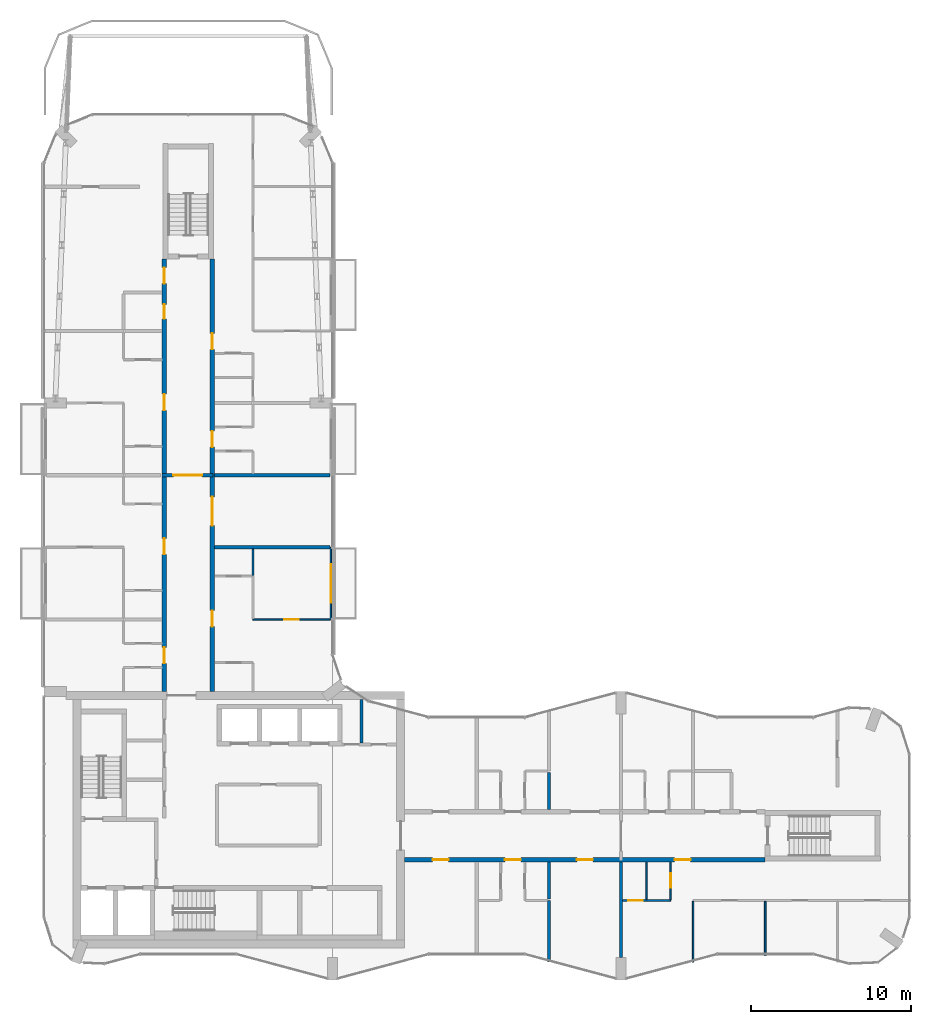
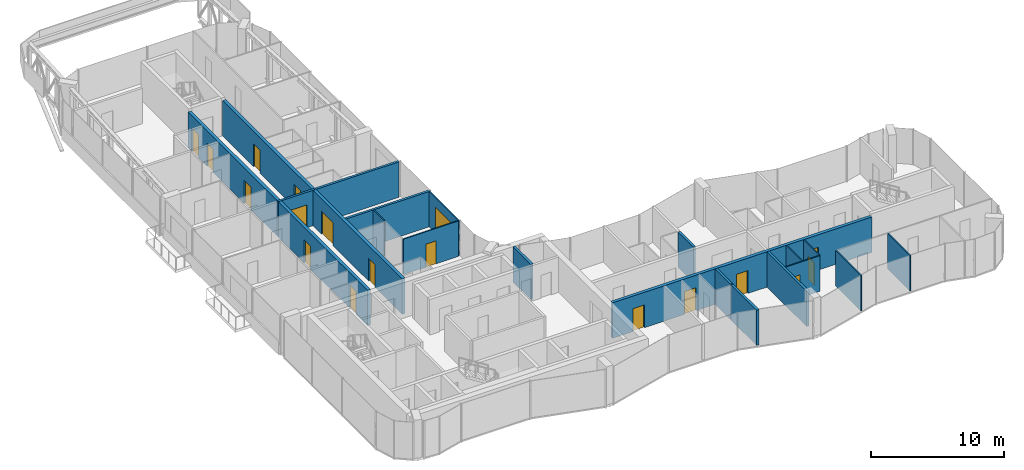
# One storey, part 11 of 17: 19 walls, 18 doors, 18 openings.
"""IFC4 building model written with IfcOpenShell, lengths in metres."""

from ifc_helpers import new_model, si_unit, direction, frame, frame_2d, origin, place, context, subcontext, project, spatial, rectangle, extrude, material, layer, layer_set, type_object, element, fill, save


model = new_model("IFC4")

# Units and contexts
model_context = context("Model", 3, precision=1e-05, world=origin(), true_north=direction((0.0, 1.0)))
body_context = subcontext(model_context, "Body", "Model", "MODEL_VIEW")
ifc_project = project(units=[si_unit("LENGTHUNIT", "METRE"), si_unit("AREAUNIT", "SQUARE_METRE"), si_unit("VOLUMEUNIT", "CUBIC_METRE"), si_unit("PLANEANGLEUNIT", "RADIAN"), si_unit("MASSUNIT", "GRAM", prefix="KILO")], contexts=[model_context])

# Site, building, storey
site_placement = place(None, origin())
site = spatial("IfcSite", under=ifc_project, at=site_placement, CompositionType="ELEMENT")
building_placement = place(site_placement, origin())
building = spatial("IfcBuilding", under=site, at=building_placement, Name="Plateau Cross Towers", CompositionType="ELEMENT")
storey_placement = place(building_placement, frame((0.0, 0.0, 222.39990234375)))
storey = spatial("IfcBuildingStorey", under=building, at=storey_placement, Name="L58", CompositionType="ELEMENT", Elevation=222.39990234375)

# Wall, opening, door
ifc_material_1 = material(Name="Aluminium framed glazing", Category="aluminium")
ifc_layer_1 = layer(ifc_material_1, 0.10009765625)
ifc_layer_set_1 = layer_set([ifc_layer_1], Name="Aluminium framed glazing")
wall_type_1 = type_object("IfcWallType", Name="Balcony screen wall 100", PredefinedType="STANDARD", material=ifc_layer_set_1)
wall_1_placement = place(storey_placement, frame((17.89990234375, 27.0, 0.0), z_axis=(0.0, 0.0, 1.0), x_axis=(0.0, -1.0, 0.0)))
wall_1 = element("IfcWall", 1, at=wall_1_placement, inside=storey, type_object=wall_type_1, Name="Balcony screen wall A-BAL-L58-03", PredefinedType="STANDARD", context=body_context, shape_type="SweptSolid", body=[
    extrude(rectangle(XDim=4.5, YDim=0.10009765625, at=frame_2d((2.25, 0.0))), origin(), (0.0, 0.0, 1.0), 3.25),
])
opening_1_placement = place(wall_1_placement, frame((1.050048828125, 0.0, 0.0)))
opening_1 = element("IfcOpeningElement", 2, at=opening_1_placement, cuts=wall_1, Name="Opening D-B24", PredefinedType="OPENING", context=body_context, shape_type="SweptSolid", body=[
    extrude(rectangle(XDim=2.39990234375, YDim=2.39990234375, at=frame_2d((1.199951171875, 1.199951171875))), frame((0.0, 0.06005859375, 0.0), z_axis=(0.0, -1.0, 0.0), x_axis=(1.0, 0.0, 0.0)), (0.0, 0.0, 1.0), 0.1201171875),
])
ifc_material_2 = material(Name="Aluminium frame, double glazing", Category="aluminium")
door_type_1 = type_object("IfcDoorType", Name="Balcony sliding door 2400", OperationType="NOTDEFINED", PredefinedType="DOOR", material=ifc_material_2)
door_1_placement = place(opening_1_placement, origin())
door_1 = element("IfcDoor", 3, at=door_1_placement, inside=storey, type_object=door_type_1, Name="Balcony door A-BAL-L58-03", OperationType="SINGLE_SWING_LEFT", OverallHeight=2.39990234375, OverallWidth=2.39990234375, PredefinedType="DOOR", context=body_context, shape_type="SweptSolid", body=[
    extrude(rectangle(XDim=2.39990234375, YDim=2.39990234375, at=frame_2d((1.199951171875, 1.199951171875))), frame((0.0, 0.02490234375, 0.0), z_axis=(0.0, -1.0, 0.0), x_axis=(1.0, 0.0, 0.0)), (0.0, 0.0, 1.0), 0.050048828125),
])
fill(opening_1, door_1)

# Wall
ifc_material_3 = material(Name="Concrete block, plastered both sides", Category="concrete")
ifc_layer_2 = layer(ifc_material_3, 0.199951171875)
ifc_layer_set_2 = layer_set([ifc_layer_2], Name="Concrete block, plastered both sides")
wall_type_2 = type_object("IfcWallType", Name="Core partition 200", PredefinedType="PARTITIONING", material=ifc_layer_set_2)
wall_2_placement = place(storey_placement, frame((19.800048828125, 14.800048828125, 0.0), z_axis=(0.0, 0.0, 1.0), x_axis=(0.0, 1.0, 0.0)))
element("IfcWall", 4, at=wall_2_placement, inside=storey, type_object=wall_type_2, Name="Core partition", PredefinedType="PARTITIONING", context=body_context, shape_type="SweptSolid", body=[
    extrude(rectangle(XDim=2.699951171875, YDim=0.199951171875, at=frame_2d((1.35009765625, 0.0))), origin(), (0.0, 0.0, 1.0), 3.25),
])

# Wall, openings, doors
ifc_material_4 = material(Name="Concrete C60/75", Category="concrete")
ifc_layer_3 = layer(ifc_material_4, 0.27490234375)
ifc_layer_set_3 = layer_set([ifc_layer_3], Name="Concrete C60/75")
wall_type_3 = type_object("IfcWallType", Name="Corridor wall 275", PredefinedType="SHEAR", material=ifc_layer_set_3)
wall_3_placement = place(storey_placement, frame((22.5, 7.5, 0.0), z_axis=(0.0, 0.0, 1.0), x_axis=(1.0, 0.0, 0.0)))
wall_3 = element("IfcWall", 5, at=wall_3_placement, inside=storey, type_object=wall_type_3, Name="A-cw-S1@L58", PredefinedType="SHEAR", context=body_context, shape_type="SweptSolid", body=[
    extrude(rectangle(XDim=22.5, YDim=0.27490234375, at=frame_2d((11.25, 0.0))), origin(), (0.0, 0.0, 1.0), 3.25),
])
opening_2_placement = place(wall_3_placement, frame((1.75, 0.0, 0.0)))
opening_2 = element("IfcOpeningElement", 6, at=opening_2_placement, cuts=wall_3, Name="Opening 58-01", PredefinedType="OPENING", context=body_context, shape_type="SweptSolid", body=[
    extrude(rectangle(XDim=1.0, YDim=2.10009765625, at=frame_2d((0.5, 1.050048828125))), frame((0.0, 0.1474609375, 0.0), z_axis=(0.0, -1.0, 0.0), x_axis=(1.0, 0.0, 0.0)), (0.0, 0.0, 1.0), 0.294921875),
])
opening_3_placement = place(wall_3_placement, frame((6.25, 0.0, 0.0)))
opening_3 = element("IfcOpeningElement", 7, at=opening_3_placement, cuts=wall_3, Name="Opening 58-02", PredefinedType="OPENING", context=body_context, shape_type="SweptSolid", body=[
    extrude(rectangle(XDim=1.0, YDim=2.10009765625, at=frame_2d((0.5, 1.050048828125))), frame((0.0, 0.1474609375, 0.0), z_axis=(0.0, -1.0, 0.0), x_axis=(1.0, 0.0, 0.0)), (0.0, 0.0, 1.0), 0.294921875),
])
opening_4_placement = place(wall_3_placement, frame((10.75, 0.0, 0.0)))
opening_4 = element("IfcOpeningElement", 8, at=opening_4_placement, cuts=wall_3, Name="Opening 58-03", PredefinedType="OPENING", context=body_context, shape_type="SweptSolid", body=[
    extrude(rectangle(XDim=1.0, YDim=2.10009765625, at=frame_2d((0.5, 1.050048828125))), frame((0.0, 0.1474609375, 0.0), z_axis=(0.0, -1.0, 0.0), x_axis=(1.0, 0.0, 0.0)), (0.0, 0.0, 1.0), 0.294921875),
])
opening_5_placement = place(wall_3_placement, frame((16.85009765625, 0.0, 0.0)))
opening_5 = element("IfcOpeningElement", 9, at=opening_5_placement, cuts=wall_3, Name="Opening 58-04", PredefinedType="OPENING", context=body_context, shape_type="SweptSolid", body=[
    extrude(rectangle(XDim=1.0, YDim=2.10009765625, at=frame_2d((0.5, 1.050048828125))), frame((0.0, 0.1474609375, 0.0), z_axis=(0.0, -1.0, 0.0), x_axis=(1.0, 0.0, 0.0)), (0.0, 0.0, 1.0), 0.294921875),
])
ifc_material_5 = material(Name="Timber, fire-resisting leaf", Category="wood")
door_type_2 = type_object("IfcDoorType", Name="Flat entrance door 1000", OperationType="NOTDEFINED", PredefinedType="DOOR", material=ifc_material_5)
door_2_placement = place(opening_2_placement, origin())
door_2 = element("IfcDoor", 10, at=door_2_placement, inside=storey, type_object=door_type_2, Name="Door 58-01", OperationType="SINGLE_SWING_LEFT", OverallHeight=2.10009765625, OverallWidth=1.0, PredefinedType="DOOR", context=body_context, shape_type="SweptSolid", body=[
    extrude(rectangle(XDim=1.0, YDim=2.10009765625, at=frame_2d((0.5, 1.050048828125))), frame((0.0, 0.02490234375, 0.0), z_axis=(0.0, -1.0, 0.0), x_axis=(1.0, 0.0, 0.0)), (0.0, 0.0, 1.0), 0.050048828125),
])
fill(opening_2, door_2)
door_3_placement = place(opening_3_placement, origin())
door_3 = element("IfcDoor", 11, at=door_3_placement, inside=storey, type_object=door_type_2, Name="Door 58-02", OperationType="SINGLE_SWING_LEFT", OverallHeight=2.10009765625, OverallWidth=1.0, PredefinedType="DOOR", context=body_context, shape_type="SweptSolid", body=[
    extrude(rectangle(XDim=1.0, YDim=2.10009765625, at=frame_2d((0.5, 1.050048828125))), frame((0.0, 0.02490234375, 0.0), z_axis=(0.0, -1.0, 0.0), x_axis=(1.0, 0.0, 0.0)), (0.0, 0.0, 1.0), 0.050048828125),
])
fill(opening_3, door_3)
door_4_placement = place(opening_4_placement, origin())
door_4 = element("IfcDoor", 12, at=door_4_placement, inside=storey, type_object=door_type_2, Name="Door 58-03", OperationType="SINGLE_SWING_LEFT", OverallHeight=2.10009765625, OverallWidth=1.0, PredefinedType="DOOR", context=body_context, shape_type="SweptSolid", body=[
    extrude(rectangle(XDim=1.0, YDim=2.10009765625, at=frame_2d((0.5, 1.050048828125))), frame((0.0, 0.02490234375, 0.0), z_axis=(0.0, -1.0, 0.0), x_axis=(1.0, 0.0, 0.0)), (0.0, 0.0, 1.0), 0.050048828125),
])
fill(opening_4, door_4)
door_5_placement = place(opening_5_placement, origin())
door_5 = element("IfcDoor", 13, at=door_5_placement, inside=storey, type_object=door_type_2, Name="Door 58-04", OperationType="SINGLE_SWING_RIGHT", OverallHeight=2.10009765625, OverallWidth=1.0, PredefinedType="DOOR", context=body_context, shape_type="SweptSolid", body=[
    extrude(rectangle(XDim=1.0, YDim=2.10009765625, at=frame_2d((0.5, 1.050048828125))), frame((0.0, 0.02490234375, 0.0), z_axis=(0.0, -1.0, 0.0), x_axis=(1.0, 0.0, 0.0)), (0.0, 0.0, 1.0), 0.050048828125),
])
fill(opening_5, door_5)

wall_4_placement = place(storey_placement, frame((7.5, 18.0, 0.0), z_axis=(0.0, 0.0, 1.0), x_axis=(0.0, 1.0, 0.0)))
wall_4 = element("IfcWall", 14, at=wall_4_placement, inside=storey, type_object=wall_type_3, Name="A-cw-W1@L58", PredefinedType="SHEAR", context=body_context, shape_type="SweptSolid", body=[
    extrude(rectangle(XDim=27.0, YDim=0.27490234375, at=frame_2d((13.5, 0.0))), origin(), (0.0, 0.0, 1.0), 3.25),
])
opening_6_placement = place(wall_4_placement, frame((1.75, 0.0, 0.0)))
opening_6 = element("IfcOpeningElement", 15, at=opening_6_placement, cuts=wall_4, Name="Opening 58-11", PredefinedType="OPENING", context=body_context, shape_type="SweptSolid", body=[
    extrude(rectangle(XDim=1.0, YDim=2.10009765625, at=frame_2d((0.5, 1.050048828125))), frame((0.0, 0.1474609375, 0.0), z_axis=(0.0, -1.0, 0.0), x_axis=(1.0, 0.0, 0.0)), (0.0, 0.0, 1.0), 0.294921875),
])
opening_7_placement = place(wall_4_placement, frame((8.550048828125, 0.0, 0.0)))
opening_7 = element("IfcOpeningElement", 16, at=opening_7_placement, cuts=wall_4, Name="Opening 58-12", PredefinedType="OPENING", context=body_context, shape_type="SweptSolid", body=[
    extrude(rectangle(XDim=1.0, YDim=2.10009765625, at=frame_2d((0.5, 1.050048828125))), frame((0.0, 0.1474609375, 0.0), z_axis=(0.0, -1.0, 0.0), x_axis=(1.0, 0.0, 0.0)), (0.0, 0.0, 1.0), 0.294921875),
])
opening_8_placement = place(wall_4_placement, frame((17.550048828125, 0.0, 0.0)))
opening_8 = element("IfcOpeningElement", 17, at=opening_8_placement, cuts=wall_4, Name="Opening 58-13", PredefinedType="OPENING", context=body_context, shape_type="SweptSolid", body=[
    extrude(rectangle(XDim=1.0, YDim=2.10009765625, at=frame_2d((0.5, 1.050048828125))), frame((0.0, 0.1474609375, 0.0), z_axis=(0.0, -1.0, 0.0), x_axis=(1.0, 0.0, 0.0)), (0.0, 0.0, 1.0), 0.294921875),
])
opening_9_placement = place(wall_4_placement, frame((23.25, 0.0, 0.0)))
opening_9 = element("IfcOpeningElement", 18, at=opening_9_placement, cuts=wall_4, Name="Opening 58-14", PredefinedType="OPENING", context=body_context, shape_type="SweptSolid", body=[
    extrude(rectangle(XDim=0.89990234375, YDim=2.10009765625, at=frame_2d((0.449951171875, 1.050048828125))), frame((0.0, 0.1474609375, 0.0), z_axis=(0.0, -1.0, 0.0), x_axis=(1.0, 0.0, 0.0)), (0.0, 0.0, 1.0), 0.294921875),
])
opening_10_placement = place(wall_4_placement, frame((25.449951171875, 0.0, 0.0)))
opening_10 = element("IfcOpeningElement", 19, at=opening_10_placement, cuts=wall_4, Name="Opening 58-15", PredefinedType="OPENING", context=body_context, shape_type="SweptSolid", body=[
    extrude(rectangle(XDim=1.0, YDim=2.10009765625, at=frame_2d((0.5, 1.050048828125))), frame((0.0, 0.1474609375, 0.0), z_axis=(0.0, -1.0, 0.0), x_axis=(1.0, 0.0, 0.0)), (0.0, 0.0, 1.0), 0.294921875),
])
door_6_placement = place(opening_6_placement, origin())
door_6 = element("IfcDoor", 20, at=door_6_placement, inside=storey, type_object=door_type_2, Name="Door 58-11", OperationType="SINGLE_SWING_LEFT", OverallHeight=2.10009765625, OverallWidth=1.0, PredefinedType="DOOR", context=body_context, shape_type="SweptSolid", body=[
    extrude(rectangle(XDim=1.0, YDim=2.10009765625, at=frame_2d((0.5, 1.050048828125))), frame((0.0, 0.02490234375, 0.0), z_axis=(0.0, -1.0, 0.0), x_axis=(1.0, 0.0, 0.0)), (0.0, 0.0, 1.0), 0.050048828125),
])
fill(opening_6, door_6)
door_7_placement = place(opening_7_placement, origin())
door_7 = element("IfcDoor", 21, at=door_7_placement, inside=storey, type_object=door_type_2, Name="Door 58-12", OperationType="SINGLE_SWING_LEFT", OverallHeight=2.10009765625, OverallWidth=1.0, PredefinedType="DOOR", context=body_context, shape_type="SweptSolid", body=[
    extrude(rectangle(XDim=1.0, YDim=2.10009765625, at=frame_2d((0.5, 1.050048828125))), frame((0.0, 0.02490234375, 0.0), z_axis=(0.0, -1.0, 0.0), x_axis=(1.0, 0.0, 0.0)), (0.0, 0.0, 1.0), 0.050048828125),
])
fill(opening_7, door_7)
door_8_placement = place(opening_8_placement, origin())
door_8 = element("IfcDoor", 22, at=door_8_placement, inside=storey, type_object=door_type_2, Name="Door 58-13", OperationType="SINGLE_SWING_RIGHT", OverallHeight=2.10009765625, OverallWidth=1.0, PredefinedType="DOOR", context=body_context, shape_type="SweptSolid", body=[
    extrude(rectangle(XDim=1.0, YDim=2.10009765625, at=frame_2d((0.5, 1.050048828125))), frame((0.0, 0.02490234375, 0.0), z_axis=(0.0, -1.0, 0.0), x_axis=(1.0, 0.0, 0.0)), (0.0, 0.0, 1.0), 0.050048828125),
])
fill(opening_8, door_8)
door_9_placement = place(opening_10_placement, origin())
door_9 = element("IfcDoor", 23, at=door_9_placement, inside=storey, type_object=door_type_2, Name="Door 58-15", OperationType="SINGLE_SWING_RIGHT", OverallHeight=2.10009765625, OverallWidth=1.0, PredefinedType="DOOR", context=body_context, shape_type="SweptSolid", body=[
    extrude(rectangle(XDim=1.0, YDim=2.10009765625, at=frame_2d((0.5, 1.050048828125))), frame((0.0, 0.02490234375, 0.0), z_axis=(0.0, -1.0, 0.0), x_axis=(1.0, 0.0, 0.0)), (0.0, 0.0, 1.0), 0.050048828125),
])
fill(opening_10, door_9)
door_type_3 = type_object("IfcDoorType", Name="Flat floor service door 900", OperationType="NOTDEFINED", PredefinedType="DOOR", material=ifc_material_5)
door_10_placement = place(opening_9_placement, origin())
door_10 = element("IfcDoor", 24, at=door_10_placement, inside=storey, type_object=door_type_3, Name="Door 58-14", OperationType="SINGLE_SWING_RIGHT", OverallHeight=2.10009765625, OverallWidth=0.89990234375, PredefinedType="DOOR", context=body_context, shape_type="SweptSolid", body=[
    extrude(rectangle(XDim=0.89990234375, YDim=2.10009765625, at=frame_2d((0.449951171875, 1.050048828125))), frame((0.0, 0.02490234375, 0.0), z_axis=(0.0, -1.0, 0.0), x_axis=(1.0, 0.0, 0.0)), (0.0, 0.0, 1.0), 0.050048828125),
])
fill(opening_9, door_10)

wall_5_placement = place(storey_placement, frame((10.5, 18.0, 0.0), z_axis=(0.0, 0.0, 1.0), x_axis=(0.0, 1.0, 0.0)))
wall_5 = element("IfcWall", 25, at=wall_5_placement, inside=storey, type_object=wall_type_3, Name="A-cw-W2@L58", PredefinedType="SHEAR", context=body_context, shape_type="SweptSolid", body=[
    extrude(rectangle(XDim=27.0, YDim=0.27490234375, at=frame_2d((13.5, 0.0))), origin(), (0.0, 0.0, 1.0), 3.25),
])
opening_11_placement = place(wall_5_placement, frame((4.050048828125, 0.0, 0.0)))
opening_11 = element("IfcOpeningElement", 26, at=opening_11_placement, cuts=wall_5, Name="Opening 58-16", PredefinedType="OPENING", context=body_context, shape_type="SweptSolid", body=[
    extrude(rectangle(XDim=1.0, YDim=2.10009765625, at=frame_2d((0.5, 1.050048828125))), frame((0.0, 0.1474609375, 0.0), z_axis=(0.0, -1.0, 0.0), x_axis=(1.0, 0.0, 0.0)), (0.0, 0.0, 1.0), 0.294921875),
])
opening_12_placement = place(wall_5_placement, frame((10.35009765625, 0.0, 0.0)))
opening_12 = element("IfcOpeningElement", 27, at=opening_12_placement, cuts=wall_5, Name="Opening 58-17", PredefinedType="OPENING", context=body_context, shape_type="SweptSolid", body=[
    extrude(rectangle(XDim=1.800048828125, YDim=2.10009765625, at=frame_2d((0.89990234375, 1.050048828125))), frame((0.0, 0.1474609375, 0.0), z_axis=(0.0, -1.0, 0.0), x_axis=(1.0, 0.0, 0.0)), (0.0, 0.0, 1.0), 0.294921875),
])
opening_13_placement = place(wall_5_placement, frame((15.25, 0.0, 0.0)))
opening_13 = element("IfcOpeningElement", 28, at=opening_13_placement, cuts=wall_5, Name="Opening 58-18", PredefinedType="OPENING", context=body_context, shape_type="SweptSolid", body=[
    extrude(rectangle(XDim=1.0, YDim=2.10009765625, at=frame_2d((0.5, 1.050048828125))), frame((0.0, 0.1474609375, 0.0), z_axis=(0.0, -1.0, 0.0), x_axis=(1.0, 0.0, 0.0)), (0.0, 0.0, 1.0), 0.294921875),
])
opening_14_placement = place(wall_5_placement, frame((21.35009765625, 0.0, 0.0)))
opening_14 = element("IfcOpeningElement", 29, at=opening_14_placement, cuts=wall_5, Name="Opening 58-19", PredefinedType="OPENING", context=body_context, shape_type="SweptSolid", body=[
    extrude(rectangle(XDim=1.0, YDim=2.10009765625, at=frame_2d((0.5, 1.050048828125))), frame((0.0, 0.1474609375, 0.0), z_axis=(0.0, -1.0, 0.0), x_axis=(1.0, 0.0, 0.0)), (0.0, 0.0, 1.0), 0.294921875),
])
door_11_placement = place(opening_11_placement, origin())
door_11 = element("IfcDoor", 30, at=door_11_placement, inside=storey, type_object=door_type_2, Name="Door 58-16", OperationType="SINGLE_SWING_LEFT", OverallHeight=2.10009765625, OverallWidth=1.0, PredefinedType="DOOR", context=body_context, shape_type="SweptSolid", body=[
    extrude(rectangle(XDim=1.0, YDim=2.10009765625, at=frame_2d((0.5, 1.050048828125))), frame((0.0, 0.02490234375, 0.0), z_axis=(0.0, -1.0, 0.0), x_axis=(1.0, 0.0, 0.0)), (0.0, 0.0, 1.0), 0.050048828125),
])
fill(opening_11, door_11)
door_12_placement = place(opening_13_placement, origin())
door_12 = element("IfcDoor", 31, at=door_12_placement, inside=storey, type_object=door_type_2, Name="Door 58-18", OperationType="SINGLE_SWING_RIGHT", OverallHeight=2.10009765625, OverallWidth=1.0, PredefinedType="DOOR", context=body_context, shape_type="SweptSolid", body=[
    extrude(rectangle(XDim=1.0, YDim=2.10009765625, at=frame_2d((0.5, 1.050048828125))), frame((0.0, 0.02490234375, 0.0), z_axis=(0.0, -1.0, 0.0), x_axis=(1.0, 0.0, 0.0)), (0.0, 0.0, 1.0), 0.050048828125),
])
fill(opening_13, door_12)
door_13_placement = place(opening_14_placement, origin())
door_13 = element("IfcDoor", 32, at=door_13_placement, inside=storey, type_object=door_type_2, Name="Door 58-19", OperationType="SINGLE_SWING_RIGHT", OverallHeight=2.10009765625, OverallWidth=1.0, PredefinedType="DOOR", context=body_context, shape_type="SweptSolid", body=[
    extrude(rectangle(XDim=1.0, YDim=2.10009765625, at=frame_2d((0.5, 1.050048828125))), frame((0.0, 0.02490234375, 0.0), z_axis=(0.0, -1.0, 0.0), x_axis=(1.0, 0.0, 0.0)), (0.0, 0.0, 1.0), 0.050048828125),
])
fill(opening_14, door_13)
ifc_material_6 = material(Name="Timber, fire-resisting leaves", Category="wood")
door_type_4 = type_object("IfcDoorType", Name="Flat floor fire door pair 1800", OperationType="NOTDEFINED", PredefinedType="DOOR", material=ifc_material_6)
door_14_placement = place(opening_12_placement, origin())
door_14 = element("IfcDoor", 33, at=door_14_placement, inside=storey, type_object=door_type_4, Name="Door 58-17", OperationType="SINGLE_SWING_LEFT", OverallHeight=2.10009765625, OverallWidth=1.800048828125, PredefinedType="DOOR", context=body_context, shape_type="SweptSolid", body=[
    extrude(rectangle(XDim=1.800048828125, YDim=2.10009765625, at=frame_2d((0.89990234375, 1.050048828125))), frame((0.0, 0.02490234375, 0.0), z_axis=(0.0, -1.0, 0.0), x_axis=(1.0, 0.0, 0.0)), (0.0, 0.0, 1.0), 0.050048828125),
])
fill(opening_12, door_14)

# Wall, opening, door
ifc_material_7 = material(Name="Gypsum board on steel studs", Category="steel")
ifc_layer_4 = layer(ifc_material_7, 0.10009765625)
ifc_layer_set_4 = layer_set([ifc_layer_4], Name="Gypsum board on steel studs")
wall_type_4 = type_object("IfcWallType", Name="Flat partition 100", PredefinedType="PARTITIONING", material=ifc_layer_set_4)
wall_6_placement = place(storey_placement, frame((36.10009765625, 4.96240234375, 0.0), z_axis=(0.0, 0.0, 1.0), x_axis=(1.0, 0.0, 0.0)))
wall_6 = element("IfcWall", 34, at=wall_6_placement, inside=storey, type_object=wall_type_4, Name="Partition wall", PredefinedType="PARTITIONING", context=body_context, shape_type="SweptSolid", body=[
    extrude(rectangle(XDim=3.0, YDim=0.10009765625, at=frame_2d((1.5, 0.0))), origin(), (0.0, 0.0, 1.0), 3.25),
])
opening_15_placement = place(wall_6_placement, frame((0.35009765625, 0.0, 0.0)))
opening_15 = element("IfcOpeningElement", 35, at=opening_15_placement, cuts=wall_6, Name="Opening 58-26", PredefinedType="OPENING", context=body_context, shape_type="SweptSolid", body=[
    extrude(rectangle(XDim=0.89990234375, YDim=2.10009765625, at=frame_2d((0.449951171875, 1.050048828125))), frame((0.0, 0.06005859375, 0.0), z_axis=(0.0, -1.0, 0.0), x_axis=(1.0, 0.0, 0.0)), (0.0, 0.0, 1.0), 0.1201171875),
])
ifc_material_8 = material(Name="Timber leaf", Category="wood")
door_type_5 = type_object("IfcDoorType", Name="Flat room door 900", OperationType="NOTDEFINED", PredefinedType="DOOR", material=ifc_material_8)
door_15_placement = place(opening_15_placement, origin())
door_15 = element("IfcDoor", 36, at=door_15_placement, inside=storey, type_object=door_type_5, Name="Door 58-26", OperationType="SINGLE_SWING_LEFT", OverallHeight=2.10009765625, OverallWidth=0.89990234375, PredefinedType="DOOR", context=body_context, shape_type="SweptSolid", body=[
    extrude(rectangle(XDim=0.89990234375, YDim=2.10009765625, at=frame_2d((0.449951171875, 1.050048828125))), frame((0.0, 0.02490234375, 0.0), z_axis=(0.0, -1.0, 0.0), x_axis=(1.0, 0.0, 0.0)), (0.0, 0.0, 1.0), 0.050048828125),
])
fill(opening_15, door_15)

wall_7_placement = place(storey_placement, frame((13.03759765625, 22.5, 0.0), z_axis=(0.0, 0.0, 1.0), x_axis=(1.0, 0.0, 0.0)))
wall_7 = element("IfcWall", 37, at=wall_7_placement, inside=storey, type_object=wall_type_4, Name="Partition wall", PredefinedType="PARTITIONING", context=body_context, shape_type="SweptSolid", body=[
    extrude(rectangle(XDim=4.8125, YDim=0.10009765625, at=frame_2d((2.40625, 0.0))), origin(), (0.0, 0.0, 1.0), 3.25),
])
opening_16_placement = place(wall_7_placement, frame((1.949951171875, 0.0, 0.0)))
opening_16 = element("IfcOpeningElement", 38, at=opening_16_placement, cuts=wall_7, Name="Opening 58-45", PredefinedType="OPENING", context=body_context, shape_type="SweptSolid", body=[
    extrude(rectangle(XDim=0.89990234375, YDim=2.10009765625, at=frame_2d((0.449951171875, 1.050048828125))), frame((0.0, 0.06005859375, 0.0), z_axis=(0.0, -1.0, 0.0), x_axis=(1.0, 0.0, 0.0)), (0.0, 0.0, 1.0), 0.1201171875),
])
door_16_placement = place(opening_16_placement, origin())
door_16 = element("IfcDoor", 39, at=door_16_placement, inside=storey, type_object=door_type_5, Name="Door 58-45", OperationType="SINGLE_SWING_LEFT", OverallHeight=2.10009765625, OverallWidth=0.89990234375, PredefinedType="DOOR", context=body_context, shape_type="SweptSolid", body=[
    extrude(rectangle(XDim=0.89990234375, YDim=2.10009765625, at=frame_2d((0.449951171875, 1.050048828125))), frame((0.0, 0.02490234375, 0.0), z_axis=(0.0, -1.0, 0.0), x_axis=(1.0, 0.0, 0.0)), (0.0, 0.0, 1.0), 0.050048828125),
])
fill(opening_16, door_16)

# Walls
wall_8_placement = place(storey_placement, frame((13.03759765625, 25.25, 0.0), z_axis=(0.0, 0.0, 1.0), x_axis=(0.0, 1.0, 0.0)))
element("IfcWall", 40, at=wall_8_placement, inside=storey, type_object=wall_type_4, Name="Partition wall", PredefinedType="PARTITIONING", context=body_context, shape_type="SweptSolid", body=[
    extrude(rectangle(XDim=1.64990234375, YDim=0.10009765625, at=frame_2d((0.824951171875, 0.0))), origin(), (0.0, 0.0, 1.0), 3.25),
])
wall_9_placement = place(storey_placement, frame((37.60009765625, 5.012451171875, 0.0), z_axis=(0.0, 0.0, 1.0), x_axis=(0.0, 1.0, 0.0)))
element("IfcWall", 41, at=wall_9_placement, inside=storey, type_object=wall_type_4, Name="Partition wall", PredefinedType="PARTITIONING", context=body_context, shape_type="SweptSolid", body=[
    extrude(rectangle(XDim=2.35009765625, YDim=0.10009765625, at=frame_2d((1.175048828125, 0.0))), origin(), (0.0, 0.0, 1.0), 3.25),
])

# Wall, opening, door
wall_10_placement = place(storey_placement, frame((39.10009765625, 5.012451171875, 0.0), z_axis=(0.0, 0.0, 1.0), x_axis=(0.0, 1.0, 0.0)))
wall_10 = element("IfcWall", 42, at=wall_10_placement, inside=storey, type_object=wall_type_4, Name="Partition wall", PredefinedType="PARTITIONING", context=body_context, shape_type="SweptSolid", body=[
    extrude(rectangle(XDim=2.35009765625, YDim=0.10009765625, at=frame_2d((1.175048828125, 0.0))), origin(), (0.0, 0.0, 1.0), 3.25),
])
opening_17_placement = place(wall_10_placement, frame((0.75, 0.0, 0.0)))
opening_17 = element("IfcOpeningElement", 43, at=opening_17_placement, cuts=wall_10, Name="Opening 58-27", PredefinedType="OPENING", context=body_context, shape_type="SweptSolid", body=[
    extrude(rectangle(XDim=0.89990234375, YDim=2.10009765625, at=frame_2d((0.449951171875, 1.050048828125))), frame((0.0, 0.06005859375, 0.0), z_axis=(0.0, -1.0, 0.0), x_axis=(1.0, 0.0, 0.0)), (0.0, 0.0, 1.0), 0.1201171875),
])
door_17_placement = place(opening_17_placement, origin())
door_17 = element("IfcDoor", 44, at=door_17_placement, inside=storey, type_object=door_type_5, Name="Door 58-27", OperationType="SINGLE_SWING_RIGHT", OverallHeight=2.10009765625, OverallWidth=0.89990234375, PredefinedType="DOOR", context=body_context, shape_type="SweptSolid", body=[
    extrude(rectangle(XDim=0.89990234375, YDim=2.10009765625, at=frame_2d((0.449951171875, 1.050048828125))), frame((0.0, 0.02490234375, 0.0), z_axis=(0.0, -1.0, 0.0), x_axis=(1.0, 0.0, 0.0)), (0.0, 0.0, 1.0), 0.050048828125),
])
fill(opening_17, door_17)

# Walls
wall_11_placement = place(storey_placement, frame((40.5, 4.91259765625, 0.0), z_axis=(0.0, 0.0, 1.0), x_axis=(0.0, -1.0, 0.0)))
element("IfcWall", 45, at=wall_11_placement, inside=storey, type_object=wall_type_4, Name="Partition wall", PredefinedType="PARTITIONING", context=body_context, shape_type="SweptSolid", body=[
    extrude(rectangle(XDim=3.790283203125, YDim=0.10009765625, at=frame_2d((1.89501953125, 0.0))), origin(), (0.0, 0.0, 1.0), 3.25),
])
wall_12_placement = place(storey_placement, frame((45.0, 1.52685546875, 0.0), z_axis=(0.0, 0.0, 1.0), x_axis=(0.0, 1.0, 0.0)))
element("IfcWall", 46, at=wall_12_placement, inside=storey, type_object=wall_type_4, Name="Partition wall", PredefinedType="PARTITIONING", context=body_context, shape_type="SweptSolid", body=[
    extrude(rectangle(XDim=3.3857421875, YDim=0.10009765625, at=frame_2d((1.69287109375, 0.0))), origin(), (0.0, 0.0, 1.0), 3.25),
])
ifc_material_9 = material(Name="Gypsum board on steel studs, two layers each side", Category="steel")
ifc_layer_5 = layer(ifc_material_9, 0.199951171875)
ifc_layer_set_5 = layer_set([ifc_layer_5], Name="Gypsum board on steel studs, two layers each side")
wall_type_5 = type_object("IfcWallType", Name="Flat party wall 200", PredefinedType="PARTITIONING", material=ifc_layer_set_5)
for number, where, z_axis, x_axis, name in (
    (47, (17.85009765625, 27.0, 0.0), (0.0, 0.0, 1.0), (-1.0, 0.0, 0.0), "Party wall"),
    (48, (17.85009765625, 31.5, 0.0), (0.0, 0.0, 1.0), (-1.0, 0.0, 0.0), "Party wall"),
):
    element("IfcWall", number, at=place(storey_placement, frame(where, z_axis=z_axis, x_axis=x_axis)), inside=storey, type_object=wall_type_5, Name=name, PredefinedType="PARTITIONING", context=body_context, shape_type="SweptSolid", body=[
        extrude(rectangle(XDim=7.212646484375, YDim=0.199951171875, at=frame_2d((3.6064453125, 0.0))), origin(), (0.0, 0.0, 1.0), 3.25),
    ])
wall_13_placement = place(storey_placement, frame((31.5, 4.96240234375, 0.0), z_axis=(0.0, 0.0, 1.0), x_axis=(0.0, -1.0, 0.0)))
element("IfcWall", 49, at=wall_13_placement, inside=storey, type_object=wall_type_5, Name="Party wall", PredefinedType="PARTITIONING", context=body_context, shape_type="SweptSolid", body=[
    extrude(rectangle(XDim=3.840087890625, YDim=0.199951171875, at=frame_2d((1.919921875, 0.0))), origin(), (0.0, 0.0, 1.0), 3.25),
])
for number, where, z_axis, x_axis, name in (
    (50, (31.5, 5.0625, 0.0), (0.0, 0.0, 1.0), (0.0, 1.0, 0.0), "Party wall"),
    (51, (31.5, 10.637451171875, 0.0), (0.0, 0.0, 1.0), (0.0, 1.0, 0.0), "Party wall"),
):
    element("IfcWall", number, at=place(storey_placement, frame(where, z_axis=z_axis, x_axis=x_axis)), inside=storey, type_object=wall_type_5, Name=name, PredefinedType="PARTITIONING", context=body_context, shape_type="SweptSolid", body=[
        extrude(rectangle(XDim=2.300048828125, YDim=0.199951171875, at=frame_2d((1.14990234375, 0.0))), origin(), (0.0, 0.0, 1.0), 3.25),
    ])
wall_14_placement = place(storey_placement, frame((36.0, 1.39990234375, 0.0), z_axis=(0.0, 0.0, 1.0), x_axis=(0.0, 1.0, 0.0)))
element("IfcWall", 52, at=wall_14_placement, inside=storey, type_object=wall_type_5, Name="Party wall", PredefinedType="PARTITIONING", context=body_context, shape_type="SweptSolid", body=[
    extrude(rectangle(XDim=5.962646484375, YDim=0.199951171875, at=frame_2d((2.9814453125, 0.0))), origin(), (0.0, 0.0, 1.0), 3.25),
])

# Wall, opening, door
wall_15_placement = place(storey_placement, frame((7.362548828125, 31.5, 0.0), z_axis=(0.0, 0.0, 1.0), x_axis=(1.0, 0.0, 0.0)))
wall_15 = element("IfcWall", 53, at=wall_15_placement, inside=storey, type_object=wall_type_5, Name="Party wall", PredefinedType="PARTITIONING", context=body_context, shape_type="SweptSolid", body=[
    extrude(rectangle(XDim=3.175048828125, YDim=0.199951171875, at=frame_2d((1.58740234375, 0.0))), origin(), (0.0, 0.0, 1.0), 3.25),
])
opening_18_placement = place(wall_15_placement, frame((0.699951171875, 0.0, 0.0)))
opening_18 = element("IfcOpeningElement", 54, at=opening_18_placement, cuts=wall_15, Name="Opening 58-21", PredefinedType="OPENING", context=body_context, shape_type="SweptSolid", body=[
    extrude(rectangle(XDim=1.800048828125, YDim=2.10009765625, at=frame_2d((0.89990234375, 1.050048828125))), frame((0.0, 0.10986328125, 0.0), z_axis=(0.0, -1.0, 0.0), x_axis=(1.0, 0.0, 0.0)), (0.0, 0.0, 1.0), 0.219970703125),
])
door_18_placement = place(opening_18_placement, origin())
door_18 = element("IfcDoor", 55, at=door_18_placement, inside=storey, type_object=door_type_4, Name="Door 58-21", OperationType="SINGLE_SWING_RIGHT", OverallHeight=2.10009765625, OverallWidth=1.800048828125, PredefinedType="DOOR", context=body_context, shape_type="SweptSolid", body=[
    extrude(rectangle(XDim=1.800048828125, YDim=2.10009765625, at=frame_2d((0.89990234375, 1.050048828125))), frame((0.0, 0.02490234375, 0.0), z_axis=(0.0, -1.0, 0.0), x_axis=(1.0, 0.0, 0.0)), (0.0, 0.0, 1.0), 0.050048828125),
])
fill(opening_18, door_18)

save(model, "model.ifc")
